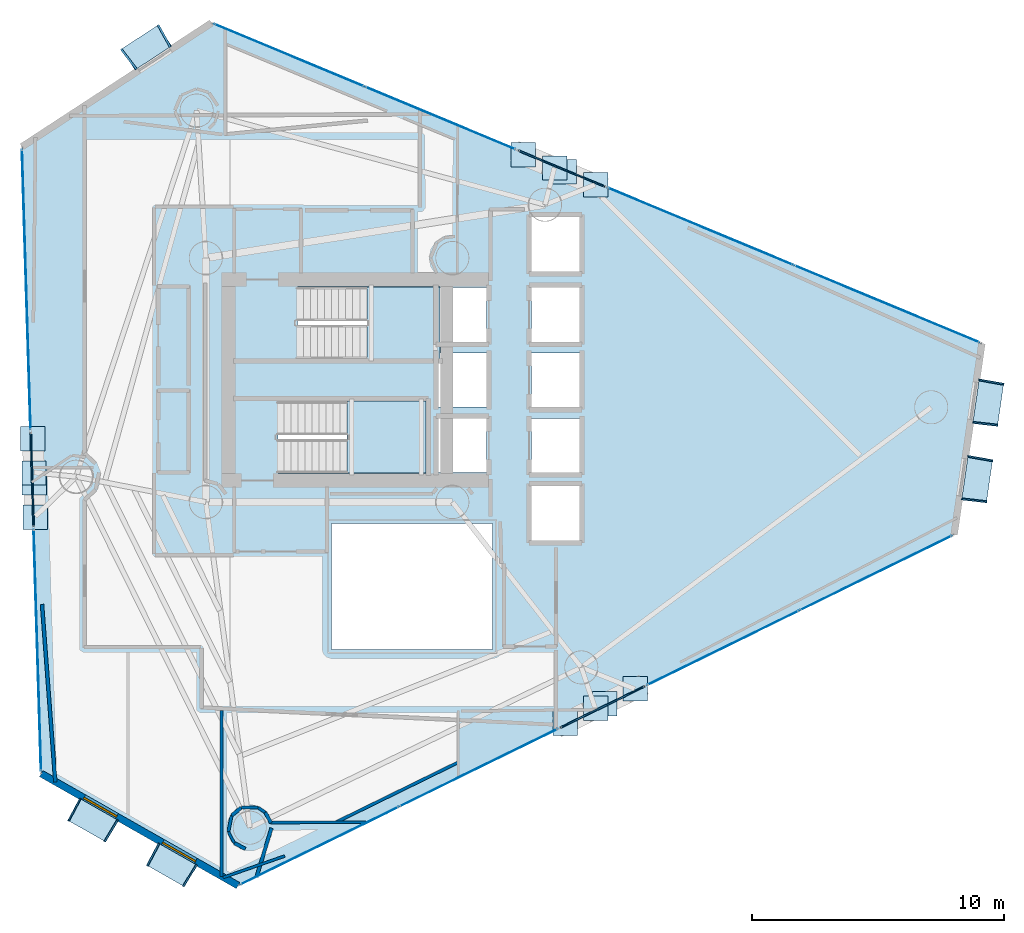
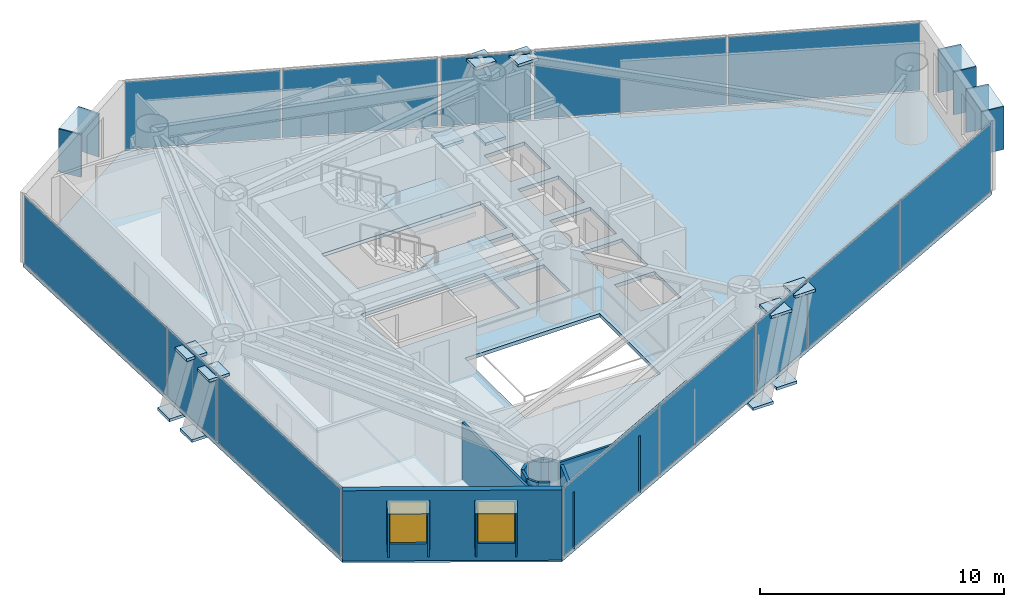
# One storey, part 18 of 23: 40 plates, 14 walls, 3 slabs, 2 windows, 2 openings, 11 elements without a shape of their own.
"""IFC4 building model written with IfcOpenShell, lengths in metres."""

from ifc_helpers import new_model, si_unit, direction, frame, frame_2d, origin, origin_2d, place, context, subcontext, project, spatial, polyline, rectangle, outline, extrude, material, layer, layer_set, type_object, element, fill, aggregate, save


model = new_model("IFC4")

# Units and contexts
model_context = context("Model", 3, precision=1e-05, world=origin(), true_north=direction((0.0, 1.0)))
body_context = subcontext(model_context, "Body", "Model", "MODEL_VIEW")
ifc_project = project(units=[si_unit("LENGTHUNIT", "METRE"), si_unit("AREAUNIT", "SQUARE_METRE"), si_unit("VOLUMEUNIT", "CUBIC_METRE"), si_unit("PLANEANGLEUNIT", "RADIAN"), si_unit("MASSUNIT", "GRAM", prefix="KILO")], contexts=[model_context])

# Site, building, storey
site_placement = place(None, origin())
site = spatial("IfcSite", under=ifc_project, at=site_placement, CompositionType="ELEMENT")
building_placement = place(site_placement, origin())
building = spatial("IfcBuilding", under=site, at=building_placement, Name="Qianvela Tower", CompositionType="ELEMENT")
storey_placement = place(building_placement, frame((0.0, 0.0, 162.39990234375)))
storey = spatial("IfcBuildingStorey", under=building, at=storey_placement, Name="L41", CompositionType="ELEMENT", Elevation=162.39990234375)

# Curtain wall, plate
ifc_material_1 = material(Name="Anodised Architectural Aluminium and Insulated Spandrel Panel", Category="aluminium")
ifc_layer_1 = layer(ifc_material_1, 0.179931640625)
ifc_layer_set_1 = layer_set([ifc_layer_1], Name="Anodised Architectural Aluminium and Insulated Spandrel Panel")
curtain_wall_type_1 = type_object("IfcCurtainWallType", Name="CW-BRACEBAY", PredefinedType="USERDEFINED", material=ifc_layer_set_1)
curtain_wall_1_placement = place(storey_placement, origin())
curtain_wall_1 = element("IfcCurtainWall", 1, at=curtain_wall_1_placement, inside=storey, type_object=curtain_wall_type_1, Name="L41 CW-BRACEBAY Curtain Wall 02B", ObjectType="CURTAIN_WALL_SYSTEM", PredefinedType="USERDEFINED")
ifc_material_2 = material(Name="Insulated Aluminium Spandrel Panel with Mineral-Wool Backpan", Category="aluminium")
ifc_layer_2 = layer(ifc_material_2, 0.06005859375)
ifc_layer_set_2 = layer_set([ifc_layer_2], Name="Insulated Aluminium Spandrel Panel with Mineral-Wool Backpan")
plate_type_1 = type_object("IfcPlateType", Name="CW-BRACEBAY-PNL", PredefinedType="CURTAIN_PANEL", material=ifc_layer_set_2)
plate_1_placement = place(storey_placement, frame((42.742919921875, 37.10498046875, 0.06494140625), z_axis=(0.0, 0.0, 1.0), x_axis=(-0.923253112428, 0.38419225707, 0.0)))
plate_1 = element("IfcPlate", 2, at=plate_1_placement, type_object=plate_type_1, Name="CW-9 panel 1.1", PredefinedType="CURTAIN_PANEL", context=body_context, shape_type="SweptSolid", body=[
    extrude(rectangle(XDim=3.72998046875, YDim=0.06005859375, at=origin_2d()), origin(), (0.0, 0.0, 1.0), 3.389892578125),
])
aggregate(curtain_wall_1, [plate_1])

curtain_wall_2_placement = place(storey_placement, origin())
curtain_wall_2 = element("IfcCurtainWall", 3, at=curtain_wall_2_placement, inside=storey, type_object=curtain_wall_type_1, Name="L41 CW-BRACEBAY Curtain Wall 04B", ObjectType="CURTAIN_WALL_SYSTEM", PredefinedType="USERDEFINED")
plate_2_placement = place(storey_placement, frame((21.697265625, 24.74755859375, 0.06494140625), z_axis=(0.0, 0.0, 1.0), x_axis=(0.030700122815, -0.99952864014, 0.0)))
plate_2 = element("IfcPlate", 4, at=plate_2_placement, type_object=plate_type_1, Name="CW-9 panel 1.1", PredefinedType="CURTAIN_PANEL", context=body_context, shape_type="SweptSolid", body=[
    extrude(rectangle(XDim=3.72998046875, YDim=0.06005859375, at=origin_2d()), origin(), (0.0, 0.0, 1.0), 3.389892578125),
])
aggregate(curtain_wall_2, [plate_2])

curtain_wall_3_placement = place(storey_placement, origin())
curtain_wall_3 = element("IfcCurtainWall", 5, at=curtain_wall_3_placement, inside=storey, type_object=curtain_wall_type_1, Name="L41 CW-BRACEBAY Curtain Wall 06B", ObjectType="CURTAIN_WALL_SYSTEM", PredefinedType="USERDEFINED")
plate_3_placement = place(storey_placement, frame((44.366943359375, 15.70458984375, 0.06494140625), z_axis=(0.0, 0.0, 1.0), x_axis=(0.897922730361, 0.440153121426, 0.0)))
plate_3 = element("IfcPlate", 6, at=plate_3_placement, type_object=plate_type_1, Name="CW-9 panel 1.1", PredefinedType="CURTAIN_PANEL", context=body_context, shape_type="SweptSolid", body=[
    extrude(rectangle(XDim=3.72998046875, YDim=0.06005859375, at=origin_2d()), origin(), (0.0, 0.0, 1.0), 3.389892578125),
])
aggregate(curtain_wall_3, [plate_3])

# Curtain wall, plates
ifc_material_3 = material(Name="Anodised Architectural Aluminium and Low-E Glass", Category="aluminium")
ifc_layer_3 = layer(ifc_material_3, 0.169921875)
ifc_layer_set_3 = layer_set([ifc_layer_3], Name="Anodised Architectural Aluminium and Low-E Glass")
curtain_wall_type_2 = type_object("IfcCurtainWallType", Name="CW-COLIV-Z34", PredefinedType="USERDEFINED", material=ifc_layer_set_3)
curtain_wall_4_placement = place(storey_placement, origin())
curtain_wall_4 = element("IfcCurtainWall", 7, at=curtain_wall_4_placement, inside=storey, type_object=curtain_wall_type_2, Name="L41 CW-COLIV-Z34 Curtain Wall 02A", ObjectType="CURTAIN_WALL_SYSTEM", PredefinedType="USERDEFINED")
ifc_material_4 = material(Name="Double-Silver Low-E Insulated Glass", Category="glass")
ifc_layer_4 = layer(ifc_material_4, 0.028076171875)
ifc_layer_set_4 = layer_set([ifc_layer_4], Name="Double-Silver Low-E Insulated Glass")
plate_type_2 = type_object("IfcPlateType", Name="CW-COLIV-Z34-PNL", PredefinedType="CURTAIN_PANEL", material=ifc_layer_set_4)
plate_4_placement = place(storey_placement, frame((55.6650390625, 31.727783203125, 0.06494140625), z_axis=(0.0, 0.0, 1.0), x_axis=(-0.923256064596, 0.384185162633, 0.0)))
plate_4 = element("IfcPlate", 8, at=plate_4_placement, type_object=plate_type_2, Name="CW-4 panel 1.1", PredefinedType="CURTAIN_PANEL", context=body_context, shape_type="SweptSolid", body=[
    extrude(rectangle(XDim=7.95751953125, YDim=0.028076171875, at=origin_2d()), origin(), (0.0, 0.0, 1.0), 3.389892578125),
])
plate_5_placement = place(storey_placement, frame((48.25830078125, 34.809814453125, 0.06494140625), z_axis=(0.0, 0.0, 1.0), x_axis=(-0.923256064596, 0.384185162633, 0.0)))
plate_5 = element("IfcPlate", 9, at=plate_5_placement, type_object=plate_type_2, Name="CW-4 panel 2.1", PredefinedType="CURTAIN_PANEL", context=body_context, shape_type="SweptSolid", body=[
    extrude(rectangle(XDim=7.95751953125, YDim=0.028076171875, at=origin_2d()), origin(), (0.0, 0.0, 1.0), 3.389892578125),
])
aggregate(curtain_wall_4, [plate_4, plate_5])

curtain_wall_5_placement = place(storey_placement, origin())
curtain_wall_5 = element("IfcCurtainWall", 10, at=curtain_wall_5_placement, inside=storey, type_object=curtain_wall_type_2, Name="L41 CW-COLIV-Z34 Curtain Wall 02C", ObjectType="CURTAIN_WALL_SYSTEM", PredefinedType="USERDEFINED")
plate_6_placement = place(storey_placement, frame((37.9248046875, 39.10986328125, 0.06494140625), z_axis=(0.0, 0.0, 1.0), x_axis=(-0.923257415037, 0.3841819173, 0.0)))
plate_6 = element("IfcPlate", 11, at=plate_6_placement, type_object=plate_type_2, Name="CW-4 panel 1.1", PredefinedType="CURTAIN_PANEL", context=body_context, shape_type="SweptSolid", body=[
    extrude(rectangle(XDim=6.447265625, YDim=0.028076171875, at=origin_2d()), origin(), (0.0, 0.0, 1.0), 3.389892578125),
])
plate_7_placement = place(storey_placement, frame((31.912109375, 41.61181640625, 0.06494140625), z_axis=(0.0, 0.0, 1.0), x_axis=(-0.923257415037, 0.3841819173, 0.0)))
plate_7 = element("IfcPlate", 12, at=plate_7_placement, type_object=plate_type_2, Name="CW-4 panel 2.1", PredefinedType="CURTAIN_PANEL", context=body_context, shape_type="SweptSolid", body=[
    extrude(rectangle(XDim=6.447265625, YDim=0.028076171875, at=origin_2d()), origin(), (0.0, 0.0, 1.0), 3.389892578125),
])
aggregate(curtain_wall_5, [plate_6, plate_7])

# Curtain wall, plate
curtain_wall_6_placement = place(storey_placement, origin())
curtain_wall_6 = element("IfcCurtainWall", 13, at=curtain_wall_6_placement, inside=storey, type_object=curtain_wall_type_2, Name="L41 CW-COLIV-Z34 Curtain Wall 04A", ObjectType="CURTAIN_WALL_SYSTEM", PredefinedType="USERDEFINED")
plate_8_placement = place(storey_placement, frame((21.465087890625, 32.298828125, 0.06494140625), z_axis=(0.0, 0.0, 1.0), x_axis=(0.030719973602, -0.999528030233, 0.0)))
plate_8 = element("IfcPlate", 14, at=plate_8_placement, type_object=plate_type_2, Name="CW-4 panel 1.1", PredefinedType="CURTAIN_PANEL", context=body_context, shape_type="SweptSolid", body=[
    extrude(rectangle(XDim=11.1201171875, YDim=0.028076171875, at=origin_2d()), origin(), (0.0, 0.0, 1.0), 3.389892578125),
])
aggregate(curtain_wall_6, [plate_8])

curtain_wall_7_placement = place(storey_placement, origin())
curtain_wall_7 = element("IfcCurtainWall", 15, at=curtain_wall_7_placement, inside=storey, type_object=curtain_wall_type_2, Name="L41 CW-COLIV-Z34 Curtain Wall 04C", ObjectType="CURTAIN_WALL_SYSTEM", PredefinedType="USERDEFINED")
plate_9_placement = place(storey_placement, frame((21.90576171875, 17.96240234375, 0.06494140625), z_axis=(0.0, 0.0, 1.0), x_axis=(0.030719402241, -0.999528047794, 0.0)))
plate_9 = element("IfcPlate", 16, at=plate_9_placement, type_object=plate_type_2, Name="CW-4 panel 1.1", PredefinedType="CURTAIN_PANEL", context=body_context, shape_type="SweptSolid", body=[
    extrude(rectangle(XDim=9.5869140625, YDim=0.028076171875, at=origin_2d()), origin(), (0.0, 0.0, 1.0), 3.389892578125),
])
aggregate(curtain_wall_7, [plate_9])

# Curtain wall, plates
curtain_wall_8_placement = place(storey_placement, origin())
curtain_wall_8 = element("IfcCurtainWall", 17, at=curtain_wall_8_placement, inside=storey, type_object=curtain_wall_type_2, Name="L41 CW-COLIV-Z34 Curtain Wall 06A", ObjectType="CURTAIN_WALL_SYSTEM", PredefinedType="USERDEFINED")
plate_10_placement = place(storey_placement, frame((33.119140625, 10.191162109375, 0.06494140625), z_axis=(0.0, 0.0, 1.0), x_axis=(0.897928663796, 0.440141016872, 0.0)))
plate_10 = element("IfcPlate", 18, at=plate_10_placement, type_object=plate_type_2, Name="CW-4 panel 1.1", PredefinedType="CURTAIN_PANEL", context=body_context, shape_type="SweptSolid", body=[
    extrude(rectangle(XDim=6.9775390625, YDim=0.028076171875, at=origin_2d()), origin(), (0.0, 0.0, 1.0), 3.389892578125),
])
plate_11_placement = place(storey_placement, frame((39.44287109375, 13.291015625, 0.06494140625), z_axis=(0.0, 0.0, 1.0), x_axis=(0.897928663796, 0.440141016872, 0.0)))
plate_11 = element("IfcPlate", 19, at=plate_11_placement, type_object=plate_type_2, Name="CW-4 panel 2.1", PredefinedType="CURTAIN_PANEL", context=body_context, shape_type="SweptSolid", body=[
    extrude(rectangle(XDim=6.9775390625, YDim=0.028076171875, at=origin_2d()), origin(), (0.0, 0.0, 1.0), 3.389892578125),
])
aggregate(curtain_wall_8, [plate_10, plate_11])

curtain_wall_9_placement = place(storey_placement, origin())
curtain_wall_9 = element("IfcCurtainWall", 20, at=curtain_wall_9_placement, inside=storey, type_object=curtain_wall_type_2, Name="L41 CW-COLIV-Z34 Curtain Wall 06C", ObjectType="CURTAIN_WALL_SYSTEM", PredefinedType="USERDEFINED")
plate_12_placement = place(storey_placement, frame((49.16357421875, 18.055908203125, 0.06494140625), z_axis=(0.0, 0.0, 1.0), x_axis=(0.897926028885, 0.440146392296, 0.0)))
plate_12 = element("IfcPlate", 21, at=plate_12_placement, type_object=plate_type_2, Name="CW-4 panel 1.1", PredefinedType="CURTAIN_PANEL", context=body_context, shape_type="SweptSolid", body=[
    extrude(rectangle(XDim=6.693603515625, YDim=0.028076171875, at=origin_2d()), origin(), (0.0, 0.0, 1.0), 3.389892578125),
])
plate_13_placement = place(storey_placement, frame((55.232177734375, 21.030517578125, 0.06494140625), z_axis=(0.0, 0.0, 1.0), x_axis=(0.897926028885, 0.440146392296, 0.0)))
plate_13 = element("IfcPlate", 22, at=plate_13_placement, type_object=plate_type_2, Name="CW-4 panel 2.1", PredefinedType="CURTAIN_PANEL", context=body_context, shape_type="SweptSolid", body=[
    extrude(rectangle(XDim=6.693603515625, YDim=0.028076171875, at=origin_2d()), origin(), (0.0, 0.0, 1.0), 3.389892578125),
])
aggregate(curtain_wall_9, [plate_12, plate_13])

# Plates
ifc_material_5 = material(Name="Steel Q420GJC", Category="steel")
ifc_layer_5 = layer(ifc_material_5, 0.139892578125)
ifc_layer_set_5 = layer_set([ifc_layer_5], Name="Steel Q420GJC")
plate_type_3 = type_object("IfcPlateType", Name="PT-GUSSET-NODE-140", PredefinedType="USERDEFINED", material=ifc_layer_set_5)
for number, where, z_axis, x_axis, name in (
    (23, (42.842041015625, 36.976806640625, -0.61328125), (0.0, 0.0, 1.0), (1.0, 0.0, 0.0), "L41 Node Gusset Plate A"),
    (24, (44.093994140625, 36.4560546875, 3.20947265625), (0.0, 0.0, 1.0), (1.0, 0.0, 0.0), "L41 Node Gusset Plate B"),
    (25, (41.223876953125, 37.650146484375, -0.61328125), (0.0, 0.0, 1.0), (1.0, 0.0, 0.0), "L41 Node Gusset Plate A"),
    (26, (42.47607421875, 37.12939453125, 3.20947265625), (0.0, 0.0, 1.0), (1.0, 0.0, 0.0), "L41 Node Gusset Plate B"),
    (27, (21.727783203125, 26.361083984375, -0.61328125), (0.0, 0.0, 1.0), (1.0, 0.0, 0.0), "L41 Node Gusset Plate A"),
    (28, (21.769287109375, 25.005859375, 3.20947265625), (0.0, 0.0, 1.0), (1.0, 0.0, 0.0), "L41 Node Gusset Plate B"),
    (29, (21.781494140625, 24.609619140625, -0.61328125), (0.0, 0.0, 1.0), (1.0, 0.0, 0.0), "L41 Node Gusset Plate A"),
    (30, (21.8232421875, 23.254150390625, 3.20947265625), (0.0, 0.0, 1.0), (1.0, 0.0, 0.0), "L41 Node Gusset Plate B"),
    (31, (42.87939453125, 15.064697265625, -0.61328125), (0.0, 0.0, 1.0), (1.0, 0.0, 0.0), "L41 Node Gusset Plate A"),
    (32, (44.09716796875, 15.66162109375, 3.20947265625), (0.0, 0.0, 1.0), (1.0, 0.0, 0.0), "L41 Node Gusset Plate B"),
    (33, (44.453125, 15.8359375, -0.61328125), (0.0, 0.0, 1.0), (1.0, 0.0, 0.0), "L41 Node Gusset Plate A"),
    (34, (45.6708984375, 16.432861328125, 3.20947265625), (0.0, 0.0, 1.0), (1.0, 0.0, 0.0), "L41 Node Gusset Plate B"),
):
    element("IfcPlate", number, at=place(storey_placement, frame(where, z_axis=z_axis, x_axis=x_axis)), inside=storey, type_object=plate_type_3, Name=name, ObjectType="GUSSET_PLATE", PredefinedType="USERDEFINED", context=body_context, shape_type="SweptSolid", body=[
        extrude(rectangle(XDim=0.969970703125, YDim=0.969970703125, at=origin_2d()), origin(), (0.0, 0.0, 1.0), 0.139892578125),
    ])

# Slab
ifc_material_6 = material(Name="Concrete C40", Category="concrete")
ifc_layer_6 = layer(ifc_material_6, 0.179931640625)
ifc_layer_set_6 = layer_set([ifc_layer_6], Name="Concrete C40")
slab_type_1 = type_object("IfcSlabType", Name="SL-FLOOR-180", PredefinedType="FLOOR", material=ifc_layer_set_6)
slab_1_placement = place(storey_placement, frame((0.0, 0.0, -0.179931640625)))
element("IfcSlab", 35, at=slab_1_placement, inside=storey, type_object=slab_type_1, Name="L41 Composite Structural Floor Slab", PredefinedType="FLOOR", context=body_context, shape_type="SweptSolid", body=[
    extrude(outline(polyline([(58.3408203125, 22.55419921875), (59.444580078125, 30.155029296875), (28.82958984375, 42.894287109375), (21.291015625, 37.97119140625), (22.056396484375, 13.05615234375), (29.88330078125, 8.60498046875), (58.3408203125, 22.55419921875)]), holes=[polyline([(40.0, 23.0), (33.60009765625, 23.0), (33.60009765625, 18.0), (40.0, 18.0), (40.0, 23.0)]), polyline([(39.760009765625, 27.179931640625), (37.840087890625, 27.179931640625), (37.840087890625, 25.02001953125), (39.760009765625, 25.02001953125), (39.760009765625, 27.179931640625)]), polyline([(37.35009765625, 27.860107421875), (31.469970703125, 27.860107421875), (31.469970703125, 25.0), (37.35009765625, 25.0), (37.35009765625, 27.860107421875)]), polyline([(37.840087890625, 27.6201171875), (39.760009765625, 27.6201171875), (39.760009765625, 29.780029296875), (37.89990234375, 29.780029296875), (37.89990234375, 30.219970703125), (39.760009765625, 30.219970703125), (39.760009765625, 32.3798828125), (37.89990234375, 32.3798828125), (37.89990234375, 32.39990234375), (32.25, 32.39990234375), (32.25, 29.5400390625), (37.840087890625, 29.5400390625), (37.840087890625, 27.6201171875)]), polyline([(43.4599609375, 22.320068359375), (43.4599609375, 24.47998046875), (41.5400390625, 24.47998046875), (41.5400390625, 22.320068359375), (43.4599609375, 22.320068359375)]), polyline([(43.4599609375, 25.02001953125), (43.4599609375, 27.179931640625), (41.5400390625, 27.179931640625), (41.5400390625, 25.02001953125), (43.4599609375, 25.02001953125)]), polyline([(43.4599609375, 29.780029296875), (41.5400390625, 29.780029296875), (41.5400390625, 27.6201171875), (43.4599609375, 27.6201171875), (43.4599609375, 29.780029296875)]), polyline([(43.4599609375, 30.219970703125), (43.4599609375, 32.3798828125), (41.5400390625, 32.3798828125), (41.5400390625, 30.219970703125), (43.4599609375, 30.219970703125)]), polyline([(43.4599609375, 33.02001953125), (43.4599609375, 35.179931640625), (41.5400390625, 35.179931640625), (41.5400390625, 33.02001953125), (43.4599609375, 33.02001953125)])]), origin(), (0.0, 0.0, 1.0), 0.179931640625),
])

# Stair, slab
ifc_material_7 = material(Name="Concrete C40", Category="concrete")
stair_type = type_object("IfcStairType", Name="ST-DOGLEG-1350-R168-N22", PredefinedType="HALF_TURN_STAIR", material=ifc_material_7)
stair_1_placement = place(storey_placement, origin())
stair_1 = element("IfcStair", 36, at=stair_1_placement, inside=storey, type_object=stair_type, Name="L41 Smoke-Proof Core Stair ST-1", PredefinedType="HALF_TURN_STAIR")
ifc_material_8 = material(Name="Concrete C40", Category="concrete")
ifc_layer_7 = layer(ifc_material_8, 0.199951171875)
ifc_layer_set_7 = layer_set([ifc_layer_7], Name="Concrete C40")
slab_type_2 = type_object("IfcSlabType", Name="SL-STAIR-LANDING-200", PredefinedType="LANDING", material=ifc_layer_set_7)
slab_2_placement = place(storey_placement, frame((0.0, 0.0, 1.650146484375)))
slab_2 = element("IfcSlab", 37, at=slab_2_placement, type_object=slab_type_2, Name="ST-1 landing 1", PredefinedType="LANDING", context=body_context, shape_type="SweptSolid", body=[
    extrude(outline(polyline([(35.0, 29.5400390625), (37.89990234375, 29.5400390625), (37.89990234375, 32.39990234375), (35.0, 32.39990234375), (35.0, 29.5400390625)])), origin(), (0.0, 0.0, 1.0), 0.199951171875),
])
aggregate(stair_1, [slab_2])

stair_2_placement = place(storey_placement, origin())
stair_2 = element("IfcStair", 38, at=stair_2_placement, inside=storey, type_object=stair_type, Name="L41 Smoke-Proof Core Stair ST-2", PredefinedType="HALF_TURN_STAIR")
slab_3_placement = place(storey_placement, frame((0.0, 0.0, 1.650146484375)))
slab_3 = element("IfcSlab", 39, at=slab_3_placement, type_object=slab_type_2, Name="ST-2 landing 1", PredefinedType="LANDING", context=body_context, shape_type="SweptSolid", body=[
    extrude(outline(polyline([(34.219970703125, 25.0), (37.35009765625, 25.0), (37.35009765625, 27.860107421875), (34.219970703125, 27.860107421875), (34.219970703125, 25.0)])), origin(), (0.0, 0.0, 1.0), 0.199951171875),
])
aggregate(stair_2, [slab_3])

# Plates
ifc_material_9 = material(Name="Vitrified Architectural Terracotta Panel", Category="masonry")
ifc_layer_8 = layer(ifc_material_9, 0.06494140625)
ifc_layer_set_8 = layer_set([ifc_layer_8], Name="Vitrified Architectural Terracotta Panel")
plate_type_4 = type_object("IfcPlateType", Name="TERRACOTTA-SUNSHADE-HOOD-FOLD-B", PredefinedType="USERDEFINED", material=ifc_layer_set_8)
for number, where, z_axis, x_axis, name in (
    (40, (59.2607421875, 24.7490234375, 2.9599609375), (0.0, 0.0, 1.0), (0.143729253536, 0.989617047993, 0.0), "L41 Terracotta Sunshade Hood FOLD-B"),
    (41, (59.702392578125, 27.789306640625, 2.9599609375), (0.0, 0.0, 1.0), (0.143729253536, 0.989617047993, 0.0), "L41 Terracotta Sunshade Hood FOLD-B"),
    (42, (24.1103515625, 11.20361328125, 2.9599609375), (0.0, 0.0, 1.0), (0.869268107929, -0.494340931481, 0.0), "L41 Terracotta Sunshade Hood FOLD-B"),
    (43, (27.2412109375, 9.423095703125, 2.9599609375), (0.0, 0.0, 1.0), (0.869268107929, -0.494340931481, 0.0), "L41 Terracotta Sunshade Hood FOLD-B"),
):
    element("IfcPlate", number, at=place(storey_placement, frame(where, z_axis=z_axis, x_axis=x_axis)), inside=storey, type_object=plate_type_4, Name=name, ObjectType="SUNSHADE", PredefinedType="USERDEFINED", context=body_context, shape_type="SweptSolid", body=[
        extrude(rectangle(XDim=1.739990234375, YDim=0.989990234375, at=origin_2d()), origin(), (0.0, 0.0, 1.0), 0.06005859375),
    ])
ifc_material_10 = material(Name="Vitrified Architectural Terracotta Panel", Category="masonry")
ifc_layer_9 = layer(ifc_material_10, 0.074951171875)
ifc_layer_set_9 = layer_set([ifc_layer_9], Name="Vitrified Architectural Terracotta Panel")
plate_type_5 = type_object("IfcPlateType", Name="TERRACOTTA-SUNSHADE-HOOD-FOLD-D", PredefinedType="USERDEFINED", material=ifc_layer_set_9)
plate_14_placement = place(storey_placement, frame((26.24267578125, 41.915771484375, 2.9599609375), z_axis=(0.0, 0.0, 1.0), x_axis=(-0.837280962229, -0.546772887303, 0.0)))
element("IfcPlate", 44, at=plate_14_placement, inside=storey, type_object=plate_type_5, Name="L41 Terracotta Sunshade Hood FOLD-D", ObjectType="SUNSHADE", PredefinedType="USERDEFINED", context=body_context, shape_type="SweptSolid", body=[
    extrude(rectangle(XDim=1.739990234375, YDim=0.989990234375, at=origin_2d()), origin(), (0.0, 0.0, 1.0), 0.06005859375),
])
ifc_material_11 = material(Name="Vitrified Architectural Terracotta Side Fin Panel", Category="masonry")
ifc_layer_10 = layer(ifc_material_11, 0.070068359375)
ifc_layer_set_10 = layer_set([ifc_layer_10], Name="Vitrified Architectural Terracotta Side Fin Panel")
plate_type_6 = type_object("IfcPlateType", Name="TERRACOTTA-SUNSHADE-STRUT-FOLD-B", PredefinedType="USERDEFINED", material=ifc_layer_set_10)
for number, where, z_axis, x_axis, name in (
    (45, (59.139892578125, 23.917724609375, 0.85009765625), (0.0, 0.0, 1.0), (0.113440783603, 0.993544759241, 0.0), "L41 Terracotta Sunshade Side Fin HL FOLD-B"),
    (46, (59.38134765625, 25.580322265625, 0.85009765625), (0.0, 0.0, 1.0), (0.173883650188, 0.984766203826, 0.0), "L41 Terracotta Sunshade Side Fin HR FOLD-B"),
    (47, (59.58154296875, 26.9580078125, 0.85009765625), (0.0, 0.0, 1.0), (0.113440783603, 0.993544759241, 0.0), "L41 Terracotta Sunshade Side Fin HL FOLD-B"),
    (48, (59.822998046875, 28.62060546875, 0.85009765625), (0.0, 0.0, 1.0), (0.173883650188, 0.984766203826, 0.0), "L41 Terracotta Sunshade Side Fin HR FOLD-B"),
    (49, (23.380126953125, 11.618896484375, 0.85009765625), (0.0, 0.0, 1.0), (0.883959110384, -0.467564210744, 0.0), "L41 Terracotta Sunshade Side Fin HL FOLD-B"),
    (50, (24.840576171875, 10.788330078125, 0.85009765625), (0.0, 0.0, 1.0), (0.853766236252, -0.520656521938, 0.0), "L41 Terracotta Sunshade Side Fin HR FOLD-B"),
    (51, (26.510986328125, 9.83837890625, 0.85009765625), (0.0, 0.0, 1.0), (0.883959110384, -0.467564210744, 0.0), "L41 Terracotta Sunshade Side Fin HL FOLD-B"),
    (52, (27.97119140625, 9.0078125, 0.85009765625), (0.0, 0.0, 1.0), (0.853766236252, -0.520656521938, 0.0), "L41 Terracotta Sunshade Side Fin HR FOLD-B"),
):
    element("IfcPlate", number, at=place(storey_placement, frame(where, z_axis=z_axis, x_axis=x_axis)), inside=storey, type_object=plate_type_6, Name=name, ObjectType="SUNSHADE", PredefinedType="USERDEFINED", context=body_context, shape_type="SweptSolid", body=[
        extrude(rectangle(XDim=0.070068359375, YDim=1.010009765625, at=origin_2d()), origin(), (0.0, 0.0, 1.0), 2.159912109375),
    ])
ifc_material_12 = material(Name="Vitrified Architectural Terracotta Side Fin Panel", Category="masonry")
ifc_layer_11 = layer(ifc_material_12, 0.080078125)
ifc_layer_set_11 = layer_set([ifc_layer_11], Name="Vitrified Architectural Terracotta Side Fin Panel")
plate_type_7 = type_object("IfcPlateType", Name="TERRACOTTA-SUNSHADE-STRUT-FOLD-D", PredefinedType="USERDEFINED", material=ifc_layer_set_11)
for number, where, z_axis, x_axis, name in (
    (53, (26.946044921875, 42.375, 0.85009765625), (0.0, 0.0, 1.0), (-0.875499107721, -0.48321973509, 0.0), "L41 Terracotta Sunshade Side Fin HL FOLD-D"),
    (54, (25.539306640625, 41.456298828125, 0.85009765625), (0.0, 0.0, 1.0), (-0.794458081405, -0.60731899105, 0.0), "L41 Terracotta Sunshade Side Fin HR FOLD-D"),
):
    element("IfcPlate", number, at=place(storey_placement, frame(where, z_axis=z_axis, x_axis=x_axis)), inside=storey, type_object=plate_type_7, Name=name, ObjectType="SUNSHADE", PredefinedType="USERDEFINED", context=body_context, shape_type="SweptSolid", body=[
        extrude(rectangle(XDim=0.080078125, YDim=1.010009765625, at=origin_2d()), origin(), (0.0, 0.0, 1.0), 2.159912109375),
    ])

# Wall, openings, windows
ifc_material_13 = material(Name="Terracotta Cladding on Concrete C40", Category="masonry")
ifc_layer_12 = layer(ifc_material_13, 0.280029296875)
ifc_layer_set_12 = layer_set([ifc_layer_12], Name="Terracotta Cladding on Concrete C40")
wall_type_1 = type_object("IfcWallType", Name="TERRACOTTA-WALL-280", PredefinedType="SOLIDWALL", material=ifc_layer_set_12)
wall_1_placement = place(storey_placement, frame((22.056396484375, 13.05615234375, 0.0), z_axis=(0.0, 0.0, 1.0), x_axis=(0.869262475314, -0.494350835956, 0.0)))
wall_1 = element("IfcWall", 55, at=wall_1_placement, inside=storey, type_object=wall_type_1, Name="L41 Terracotta Chamfer Facet Wall 5", PredefinedType="SOLIDWALL", context=body_context, shape_type="SweptSolid", body=[
    extrude(rectangle(XDim=9.004150390625, YDim=0.280029296875, at=frame_2d((4.501953125, 0.0))), origin(), (0.0, 0.0, 1.0), 3.52001953125),
])
opening_1_placement = place(wall_1_placement, frame((1.951171875, 0.0, 0.85009765625)))
opening_1 = element("IfcOpeningElement", 56, at=opening_1_placement, cuts=wall_1, Name="Opening W-02", PredefinedType="OPENING", context=body_context, shape_type="SweptSolid", body=[
    extrude(rectangle(XDim=1.5, YDim=2.10009765625, at=frame_2d((0.75, 1.050048828125))), frame((0.0, 0.14990234375, 0.0), z_axis=(0.0, -1.0, 0.0), x_axis=(1.0, 0.0, 0.0)), (0.0, 0.0, 1.0), 0.300048828125),
])
opening_2_placement = place(wall_1_placement, frame((5.552734375, 0.0, 0.85009765625)))
opening_2 = element("IfcOpeningElement", 57, at=opening_2_placement, cuts=wall_1, Name="Opening W-02", PredefinedType="OPENING", context=body_context, shape_type="SweptSolid", body=[
    extrude(rectangle(XDim=1.5, YDim=2.10009765625, at=frame_2d((0.75, 1.050048828125))), frame((0.0, 0.14990234375, 0.0), z_axis=(0.0, -1.0, 0.0), x_axis=(1.0, 0.0, 0.0)), (0.0, 0.0, 1.0), 0.300048828125),
])
ifc_material_14 = material(Name="Thermally Broken Aluminium and Low-E Glass", Category="aluminium")
window_type = type_object("IfcWindowType", Name="WIN-TC-1500x2100", PartitioningType="DOUBLE_PANEL_VERTICAL", PredefinedType="WINDOW", material=ifc_material_14)
window_1_placement = place(opening_1_placement, origin())
window_1 = element("IfcWindow", 58, at=window_1_placement, inside=storey, type_object=window_type, Name="L41 Chamfer Facet Window 5.1", OverallHeight=2.10009765625, OverallWidth=1.5, PartitioningType="SINGLE_PANEL", PredefinedType="WINDOW", context=body_context, shape_type="SweptSolid", body=[
    extrude(rectangle(XDim=1.5, YDim=2.10009765625, at=frame_2d((0.75, 1.050048828125))), frame((0.0, 0.030029296875, 0.0), z_axis=(0.0, -1.0, 0.0), x_axis=(1.0, 0.0, 0.0)), (0.0, 0.0, 1.0), 0.06005859375),
])
fill(opening_1, window_1)
window_2_placement = place(opening_2_placement, origin())
window_2 = element("IfcWindow", 59, at=window_2_placement, inside=storey, type_object=window_type, Name="L41 Chamfer Facet Window 5.2", OverallHeight=2.10009765625, OverallWidth=1.5, PartitioningType="SINGLE_PANEL", PredefinedType="WINDOW", context=body_context, shape_type="SweptSolid", body=[
    extrude(rectangle(XDim=1.5, YDim=2.10009765625, at=frame_2d((0.75, 1.050048828125))), frame((0.0, 0.030029296875, 0.0), z_axis=(0.0, -1.0, 0.0), x_axis=(1.0, 0.0, 0.0)), (0.0, 0.0, 1.0), 0.06005859375),
])
fill(opening_2, window_2)

# Walls
ifc_material_15 = material(Name="Lightweight Gypsum Room Partition")
ifc_layer_13 = layer(ifc_material_15, 0.10498046875)
ifc_layer_set_13 = layer_set([ifc_layer_13], Name="Lightweight Gypsum Room Partition")
wall_type_2 = type_object("IfcWallType", Name="WT-PART-105", PredefinedType="PARTITIONING", material=ifc_layer_set_13)
wall_2_placement = place(storey_placement, frame((35.040283203125, 11.123291015625, 0.0), z_axis=(0.0, 0.0, 1.0), x_axis=(-0.999996828806, -0.00251840793, 0.0)))
element("IfcWall", 60, at=wall_2_placement, inside=storey, type_object=wall_type_2, Name="L41 Partition 73", PredefinedType="PARTITIONING", context=body_context, shape_type="SweptSolid", body=[
    extrude(rectangle(XDim=3.877685546875, YDim=0.10498046875, at=frame_2d((1.93896484375, 0.0))), origin(), (0.0, 0.0, 1.0), 2.840087890625),
])
wall_3_placement = place(storey_placement, frame((30.66650390625, 11.71142578125, 0.0), z_axis=(0.0, 0.0, 1.0), x_axis=(-1.0, 0.0, 0.0)))
element("IfcWall", 61, at=wall_3_placement, inside=storey, type_object=wall_type_2, Name="L41 Partition 76", PredefinedType="PARTITIONING", context=body_context, shape_type="SweptSolid", body=[
    extrude(rectangle(XDim=0.638916015625, YDim=0.10498046875, at=frame_2d((0.3193359375, 0.0))), origin(), (0.0, 0.0, 1.0), 2.840087890625),
])
wall_4_placement = place(storey_placement, frame((29.500732421875, 10.7314453125, 0.0), z_axis=(0.0, 0.0, 1.0), x_axis=(0.471424550379, -0.88190639713, 0.0)))
element("IfcWall", 62, at=wall_4_placement, inside=storey, type_object=wall_type_2, Name="L41 Partition 79", PredefinedType="PARTITIONING", context=body_context, shape_type="SweptSolid", body=[
    extrude(rectangle(XDim=0.484619140625, YDim=0.10498046875, at=frame_2d((0.2421875, 0.0))), origin(), (0.0, 0.0, 1.0), 2.840087890625),
])
wall_5_placement = place(storey_placement, frame((31.737548828125, 9.78125, 0.0), z_axis=(0.0, 0.0, 1.0), x_axis=(-0.944171617612, -0.329454027894, 0.0)))
element("IfcWall", 63, at=wall_5_placement, inside=storey, type_object=wall_type_2, Name="L41 Partition 85 seg 1", PredefinedType="PARTITIONING", context=body_context, shape_type="SweptSolid", body=[
    extrude(rectangle(XDim=2.5966796875, YDim=0.10498046875, at=frame_2d((1.29833984375, 0.0))), origin(), (0.0, 0.0, 1.0), 2.840087890625),
])
ifc_material_16 = material(Name="Insulated Gypsum Stud Partition")
ifc_layer_14 = layer(ifc_material_16, 0.1201171875)
ifc_layer_set_14 = layer_set([ifc_layer_14], Name="Insulated Gypsum Stud Partition")
wall_type_3 = type_object("IfcWallType", Name="WT-PART-120", PredefinedType="PARTITIONING", material=ifc_layer_set_14)
wall_6_placement = place(storey_placement, frame((29.22705078125, 15.570068359375, 0.0), z_axis=(0.0, 0.0, 1.0), x_axis=(0.0, -1.0, 0.0)))
element("IfcWall", 64, at=wall_6_placement, inside=storey, type_object=wall_type_3, Name="L41 Partition 69", PredefinedType="PARTITIONING", context=body_context, shape_type="SweptSolid", body=[
    extrude(rectangle(XDim=6.61181640625, YDim=0.1201171875, at=frame_2d((3.305908203125, 0.0))), origin(), (0.0, 0.0, 1.0), 2.840087890625),
])
wall_7_placement = place(storey_placement, frame((38.644287109375, 13.51318359375, 0.0), z_axis=(0.0, 0.0, 1.0), x_axis=(-0.897915162587, -0.440168559526, 0.0)))
element("IfcWall", 65, at=wall_7_placement, inside=storey, type_object=wall_type_3, Name="L41 Partition 72", PredefinedType="PARTITIONING", context=body_context, shape_type="SweptSolid", body=[
    extrude(rectangle(XDim=5.444580078125, YDim=0.1201171875, at=frame_2d((2.72216796875, 0.0))), origin(), (0.0, 0.0, 1.0), 2.840087890625),
])
wall_8_placement = place(storey_placement, frame((30.95458984375, 11.525146484375, 0.0), z_axis=(0.0, 0.0, 1.0), x_axis=(-0.831126758744, 0.556083007203, 0.0)))
element("IfcWall", 66, at=wall_8_placement, inside=storey, type_object=wall_type_3, Name="L41 Partition 75", PredefinedType="PARTITIONING", context=body_context, shape_type="SweptSolid", body=[
    extrude(rectangle(XDim=0.32568359375, YDim=0.1201171875, at=frame_2d((0.162841796875, 0.0))), origin(), (0.0, 0.0, 1.0), 2.840087890625),
])
wall_9_placement = place(storey_placement, frame((29.622314453125, 11.37890625, 0.0), z_axis=(0.0, 0.0, 1.0), x_axis=(-0.195234371211, -0.98075661624, 0.0)))
element("IfcWall", 67, at=wall_9_placement, inside=storey, type_object=wall_type_3, Name="L41 Partition 78", PredefinedType="PARTITIONING", context=body_context, shape_type="SweptSolid", body=[
    extrude(rectangle(XDim=0.638916015625, YDim=0.1201171875, at=frame_2d((0.3193359375, 0.0))), origin(), (0.0, 0.0, 1.0), 2.840087890625),
])
ifc_material_17 = material(Name="Acoustic Double Gypsum Stud Partition")
ifc_layer_15 = layer(ifc_material_17, 0.139892578125)
ifc_layer_set_15 = layer_set([ifc_layer_15], Name="Acoustic Double Gypsum Stud Partition")
wall_type_4 = type_object("IfcWallType", Name="WT-ROOM-140", PredefinedType="PARTITIONING", material=ifc_layer_set_15)
wall_10_placement = place(storey_placement, frame((22.6181640625, 12.717041015625, 0.0), z_axis=(0.0, 0.0, 1.0), x_axis=(-0.0745288073, 0.997218861074, 0.0)))
element("IfcWall", 68, at=wall_10_placement, inside=storey, type_object=wall_type_4, Name="L41 Partition 71 seg 1", PredefinedType="PARTITIONING", context=body_context, shape_type="SweptSolid", body=[
    extrude(rectangle(XDim=7.0888671875, YDim=0.139892578125, at=frame_2d((3.54443359375, 0.0))), origin(), (0.0, 0.0, 1.0), 2.840087890625),
])
wall_11_placement = place(storey_placement, frame((31.18994140625, 11.09716796875, 0.0), z_axis=(0.0, 0.0, 1.0), x_axis=(-0.475420071565, 0.879758918996, 0.0)))
element("IfcWall", 69, at=wall_11_placement, inside=storey, type_object=wall_type_4, Name="L41 Partition 74", PredefinedType="PARTITIONING", context=body_context, shape_type="SweptSolid", body=[
    extrude(rectangle(XDim=0.473876953125, YDim=0.139892578125, at=frame_2d((0.23681640625, 0.0))), origin(), (0.0, 0.0, 1.0), 2.840087890625),
])
for number, where, z_axis, x_axis, name in (
    (70, (30.0078125, 11.704345703125, 0.0), (0.0, 0.0, 1.0), (-0.773193692611, -0.634169940715, 0.0), "L41 Partition 77"),
    (71, (29.741943359375, 10.291259765625, 0.0), (0.0, 0.0, 1.0), (0.88190639713, -0.471424550379, 0.0), "L41 Partition 80"),
):
    element("IfcWall", number, at=place(storey_placement, frame(where, z_axis=z_axis, x_axis=x_axis)), inside=storey, type_object=wall_type_4, Name=name, PredefinedType="PARTITIONING", context=body_context, shape_type="SweptSolid", body=[
        extrude(rectangle(XDim=0.484619140625, YDim=0.139892578125, at=frame_2d((0.2421875, 0.0))), origin(), (0.0, 0.0, 1.0), 2.840087890625),
    ])
wall_12_placement = place(storey_placement, frame((30.614990234375, 8.947509765625, 0.0), z_axis=(0.0, 0.0, 1.0), x_axis=(0.292812756938, 0.956169801538, 0.0)))
element("IfcWall", 72, at=wall_12_placement, inside=storey, type_object=wall_type_4, Name="L41 Partition 83", PredefinedType="PARTITIONING", context=body_context, shape_type="SweptSolid", body=[
    extrude(rectangle(XDim=2.03515625, YDim=0.139892578125, at=frame_2d((1.017578125, 0.0))), origin(), (0.0, 0.0, 1.0), 2.840087890625),
])

save(model, "model.ifc")
